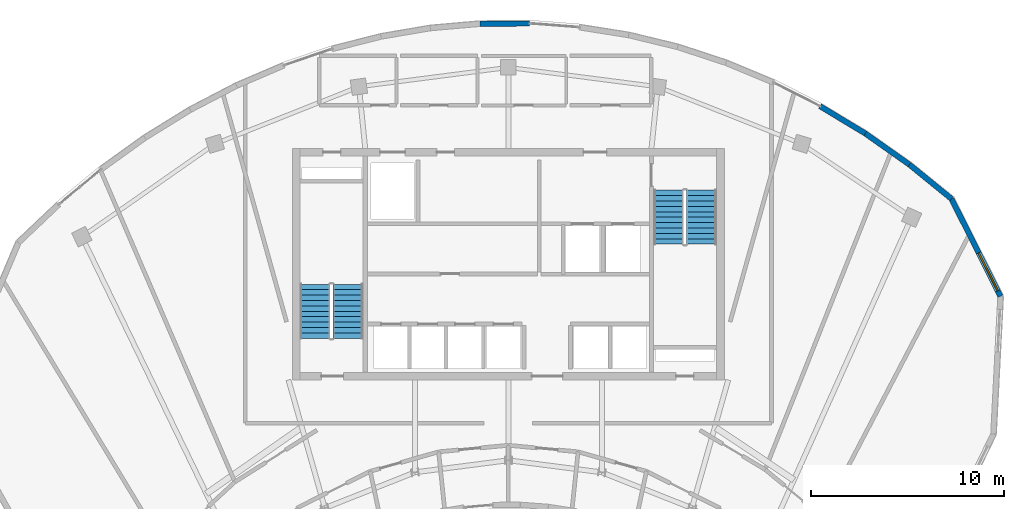
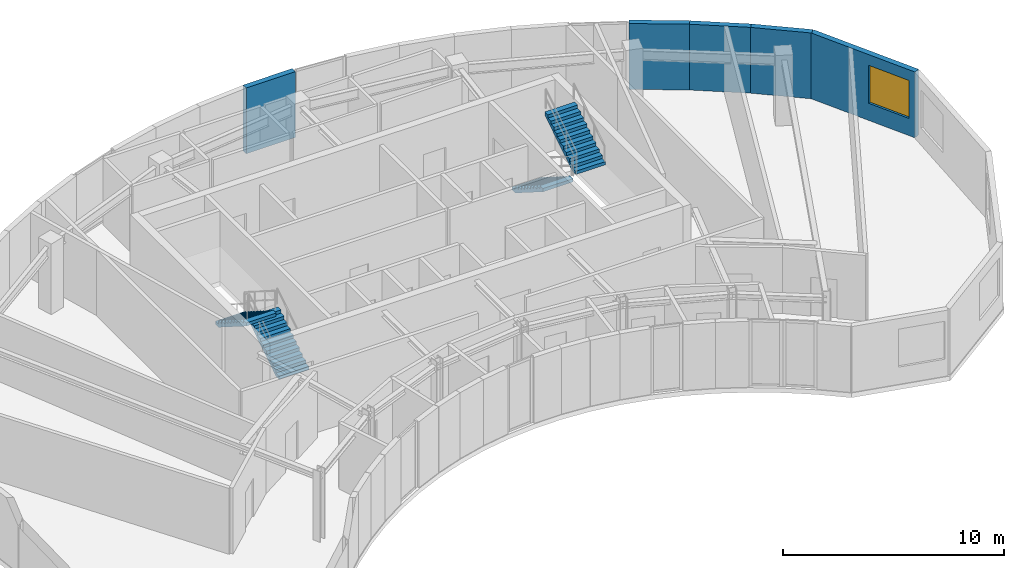
# One storey, part 8 of 9: 5 walls, 4 stair flights, 1 window, 1 opening, 2 elements without a shape of their own.
"""IFC4 building model written with IfcOpenShell, lengths in metres."""

from ifc_helpers import new_model, si_unit, direction, frame, frame_2d, origin, place, context, subcontext, project, spatial, polyline, rectangle, outline, extrude, source, transform, mapped, material, layer, layer_set, type_object, type_shapes, element, fill, aggregate, save


model = new_model("IFC4")

# Units and contexts
model_context = context("Model", 3, precision=1e-05, world=origin(), true_north=direction((0.0, 1.0)))
body_context = subcontext(model_context, "Body", "Model", "MODEL_VIEW")
ifc_project = project(units=[si_unit("LENGTHUNIT", "METRE"), si_unit("AREAUNIT", "SQUARE_METRE"), si_unit("VOLUMEUNIT", "CUBIC_METRE"), si_unit("PLANEANGLEUNIT", "RADIAN"), si_unit("MASSUNIT", "GRAM", prefix="KILO")], contexts=[model_context])

# Site, building, storey
site_placement = place(None, origin())
site = spatial("IfcSite", under=ifc_project, at=site_placement, CompositionType="ELEMENT")
building_placement = place(site_placement, origin())
building = spatial("IfcBuilding", under=site, at=building_placement, Name="Breltana Convention Tower", CompositionType="ELEMENT")
storey_placement = place(building_placement, frame((0.0, 0.0, 287.39990234375)))
storey = spatial("IfcBuildingStorey", under=building, at=storey_placement, Name="L70", CompositionType="ELEMENT", Elevation=287.39990234375)

# Wall, opening, window
ifc_material_1 = material(Name="Limestone Buff Insulated Wall", Category="masonry")
ifc_layer = layer(ifc_material_1, 0.280029296875, Name="Limestone Buff Insulated Wall")
ifc_layer_set = layer_set([ifc_layer], Name="Limestone Buff Insulated Wall")
wall_type = type_object("IfcWallType", Name="WL-EXT-NOSE-280", PredefinedType="SOLIDWALL", material=ifc_layer_set)
shared_shape_1 = source(origin(), body_context, "Body", "SweptSolid", [
    extrude(rectangle(XDim=5.6533203125, YDim=0.280029296875, at=frame_2d((2.82666015625, 0.0))), origin(), (0.0, 0.0, 1.0), 3.64013671875),
])
wall_1_placement = place(storey_placement, frame((70.976318359375, 69.5908203125, 0.0), z_axis=(0.0, 0.0, 1.0), x_axis=(0.449302555419, -0.893379658205, 0.0)))
wall_1 = element("IfcWall", 1, at=wall_1_placement, inside=storey, type_object=wall_type, Name="L70 curved limestone nose wall E1", PredefinedType="SOLIDWALL", context=body_context, shape_type="MappedRepresentation", body=[
    mapped(shared_shape_1, transform((0.0, 0.0, 0.0), scale=1.0)),
])
opening_placement = place(wall_1_placement, frame((3.139892578125, 0.0, 0.949951171875)))
opening = element("IfcOpeningElement", 2, at=opening_placement, cuts=wall_1, Name="Opening W-03", PredefinedType="OPENING", context=body_context, shape_type="SweptSolid", body=[
    extrude(rectangle(XDim=2.199951171875, YDim=2.10009765625, at=frame_2d((1.10009765625, 1.050048828125))), frame((0.0, 0.14990234375, 0.0), z_axis=(0.0, -1.0, 0.0), x_axis=(1.0, 0.0, 0.0)), (0.0, 0.0, 1.0), 0.300048828125),
])
ifc_material_2 = material(Name="Glass Low-E Insulated Window", Category="glass")
window_type = type_object("IfcWindowType", Name="WN-NOSE-2200X2100", PartitioningType="TRIPLE_PANEL_VERTICAL", PredefinedType="WINDOW", material=ifc_material_2)
shared_shape_2 = source(origin(), body_context, "Body", "SweptSolid", [
    extrude(rectangle(XDim=2.199951171875, YDim=2.10009765625, at=frame_2d((1.10009765625, 1.050048828125))), frame((0.0, 0.030029296875, 0.0), z_axis=(0.0, -1.0, 0.0), x_axis=(1.0, 0.0, 0.0)), (0.0, 0.0, 1.0), 0.06005859375),
])
type_shapes(window_type, [shared_shape_2])
window_placement = place(opening_placement, origin())
window = element("IfcWindow", 3, at=window_placement, inside=storey, type_object=window_type, Name="L70 nose window E1", OverallHeight=2.10009765625, OverallWidth=2.199951171875, PartitioningType="TRIPLE_PANEL_VERTICAL", PredefinedType="WINDOW", context=body_context, shape_type="MappedRepresentation", body=[
    mapped(shared_shape_2, transform((0.0, 0.0, 0.0), scale=1.0)),
])
fill(opening, window)

# Walls
shared_shape_3 = source(origin(), body_context, "Body", "SweptSolid", [
    extrude(rectangle(XDim=2.578125, YDim=0.280029296875, at=frame_2d((1.2890625, 0.0))), origin(), (0.0, 0.0, 1.0), 3.64013671875),
])
wall_2_placement = place(storey_placement, frame((46.52685546875, 78.668212890625, 0.0), z_axis=(0.0, 0.0, 1.0), x_axis=(0.999982204439, 0.005965802924, 0.0)))
element("IfcWall", 4, at=wall_2_placement, inside=storey, type_object=wall_type, Name="L70 curved limestone nose wall E27", PredefinedType="SOLIDWALL", context=body_context, shape_type="MappedRepresentation", body=[
    mapped(shared_shape_3, transform((0.0, 0.0, 0.0), scale=1.0)),
])
shared_shape_4 = source(origin(), body_context, "Body", "SweptSolid", [
    extrude(rectangle(XDim=2.748291015625, YDim=0.280029296875, at=frame_2d((1.3740234375, 0.0))), origin(), (0.0, 0.0, 1.0), 3.64013671875),
])
wall_3_placement = place(storey_placement, frame((64.157470703125, 74.3955078125, 0.0), z_axis=(0.0, 0.0, 1.0), x_axis=(0.856149718453, -0.516727838996, 0.0)))
element("IfcWall", 5, at=wall_3_placement, inside=storey, type_object=wall_type, Name="L70 curved limestone nose wall E32", PredefinedType="SOLIDWALL", context=body_context, shape_type="MappedRepresentation", body=[
    mapped(shared_shape_4, transform((0.0, 0.0, 0.0), scale=1.0)),
])
shared_shape_5 = source(origin(), body_context, "Body", "SweptSolid", [
    extrude(rectangle(XDim=2.811767578125, YDim=0.280029296875, at=frame_2d((1.40576171875, 0.0))), origin(), (0.0, 0.0, 1.0), 3.64013671875),
])
wall_4_placement = place(storey_placement, frame((68.794677734375, 71.36474609375, 0.0), z_axis=(0.0, 0.0, 1.0), x_axis=(0.775880230716, -0.630880232361, 0.0)))
element("IfcWall", 6, at=wall_4_placement, inside=storey, type_object=wall_type, Name="L70 curved limestone nose wall E34", PredefinedType="SOLIDWALL", context=body_context, shape_type="MappedRepresentation", body=[
    mapped(shared_shape_5, transform((0.0, 0.0, 0.0), scale=1.0)),
])
shared_shape_6 = source(origin(), body_context, "Body", "SweptSolid", [
    extrude(rectangle(XDim=2.794921875, YDim=0.280029296875, at=frame_2d((1.3974609375, 0.0))), origin(), (0.0, 0.0, 1.0), 3.64013671875),
])
wall_5_placement = place(storey_placement, frame((66.510498046875, 72.975341796875, 0.0), z_axis=(0.0, 0.0, 1.0), x_axis=(0.817265517835, -0.576261289136, 0.0)))
element("IfcWall", 7, at=wall_5_placement, inside=storey, type_object=wall_type, Name="L70 curved limestone nose wall E33", PredefinedType="SOLIDWALL", context=body_context, shape_type="MappedRepresentation", body=[
    mapped(shared_shape_6, transform((0.0, 0.0, 0.0), scale=1.0)),
])

# Stair, stair flights
ifc_material_3 = material(Name="Concrete C40/50", Category="concrete")
stair_type = type_object("IfcStairType", Name="ST-DOG-1560-R177", PredefinedType="HALF_TURN_STAIR", material=ifc_material_3)
stair_1_placement = place(storey_placement, origin())
stair_1 = element("IfcStair", 8, at=stair_1_placement, inside=storey, type_object=stair_type, Name="L70 Protected Core Exit Stair ST-1", PredefinedType="HALF_TURN_STAIR")
stair_flight_type = type_object("IfcStairFlightType", Name="STF-DOG-1560-N11-R177", PredefinedType="STRAIGHT", material=ifc_material_3)
stair_flight_1_placement = place(storey_placement, frame((39.68994140625, 62.360107421875, 0.0), z_axis=(0.0, 0.0, 1.0), x_axis=(0.0, 1.0, 0.0)))
stair_flight_1 = element("IfcStairFlight", 9, at=stair_flight_1_placement, type_object=stair_flight_type, Name="ST-1 flight 1", NumberOfRisers=11, NumberOfTreads=10, PredefinedType="STRAIGHT", RiserHeight=0.177272727, TreadLength=0.28, context=body_context, shape_type="SweptSolid", body=[
    extrude(outline(polyline([(0.0, 0.0), (0.0, 0.17724609375), (0.280029296875, 0.17724609375), (0.280029296875, 0.3544921875), (0.56005859375, 0.3544921875), (0.56005859375, 0.53173828125), (0.840087890625, 0.53173828125), (0.840087890625, 0.708984375), (1.1201171875, 0.708984375), (1.1201171875, 0.886474609375), (1.39990234375, 0.886474609375), (1.39990234375, 1.063720703125), (1.679931640625, 1.063720703125), (1.679931640625, 1.240966796875), (1.9599609375, 1.240966796875), (1.9599609375, 1.418212890625), (2.239990234375, 1.418212890625), (2.239990234375, 1.595458984375), (2.52001953125, 1.595458984375), (2.52001953125, 1.772705078125), (2.800048828125, 1.772705078125), (2.800048828125, 1.949951171875), (2.800048828125, 1.59521484375), (0.2802734375, 0.0), (0.0, 0.0)])), frame((0.0, 0.780029296875, 0.0), z_axis=(0.0, -1.0, 0.0), x_axis=(1.0, 0.0, 0.0)), (0.0, 0.0, 1.0), 1.56005859375),
])
stair_flight_2_placement = place(storey_placement, frame((37.97998046875, 65.159912109375, 1.9501953125), z_axis=(0.0, 0.0, 1.0), x_axis=(0.0, -1.0, 0.0)))
stair_flight_2 = element("IfcStairFlight", 10, at=stair_flight_2_placement, type_object=stair_flight_type, Name="ST-1 flight 2", NumberOfRisers=11, NumberOfTreads=10, PredefinedType="STRAIGHT", RiserHeight=0.177272727, TreadLength=0.28, context=body_context, shape_type="SweptSolid", body=[
    extrude(outline(polyline([(0.0, 0.0), (0.0, 0.17724609375), (0.280029296875, 0.17724609375), (0.280029296875, 0.3544921875), (0.56005859375, 0.3544921875), (0.56005859375, 0.53173828125), (0.840087890625, 0.53173828125), (0.840087890625, 0.708984375), (1.1201171875, 0.708984375), (1.1201171875, 0.886474609375), (1.39990234375, 0.886474609375), (1.39990234375, 1.063720703125), (1.679931640625, 1.063720703125), (1.679931640625, 1.240966796875), (1.9599609375, 1.240966796875), (1.9599609375, 1.418212890625), (2.239990234375, 1.418212890625), (2.239990234375, 1.595458984375), (2.52001953125, 1.595458984375), (2.52001953125, 1.772705078125), (2.800048828125, 1.772705078125), (2.800048828125, 1.949951171875), (2.800048828125, 1.59521484375), (0.2802734375, 0.0), (0.0, 0.0)])), frame((0.0, 0.780029296875, 0.0), z_axis=(0.0, -1.0, 0.0), x_axis=(1.0, 0.0, 0.0)), (0.0, 0.0, 1.0), 1.56005859375),
])
aggregate(stair_1, [stair_flight_1, stair_flight_2])

stair_2_placement = place(storey_placement, origin())
stair_2 = element("IfcStair", 11, at=stair_2_placement, inside=storey, type_object=stair_type, Name="L70 Protected Core Exit Stair ST-2", PredefinedType="HALF_TURN_STAIR")
stair_flight_3_placement = place(storey_placement, frame((56.31005859375, 70.0400390625, 0.0), z_axis=(0.0, 0.0, 1.0), x_axis=(0.0, -1.0, 0.0)))
stair_flight_3 = element("IfcStairFlight", 12, at=stair_flight_3_placement, type_object=stair_flight_type, Name="ST-2 flight 1", NumberOfRisers=11, NumberOfTreads=10, PredefinedType="STRAIGHT", RiserHeight=0.177272727, TreadLength=0.28, context=body_context, shape_type="SweptSolid", body=[
    extrude(outline(polyline([(0.0, 0.0), (0.0, 0.17724609375), (0.280029296875, 0.17724609375), (0.280029296875, 0.3544921875), (0.56005859375, 0.3544921875), (0.56005859375, 0.53173828125), (0.840087890625, 0.53173828125), (0.840087890625, 0.708984375), (1.1201171875, 0.708984375), (1.1201171875, 0.886474609375), (1.39990234375, 0.886474609375), (1.39990234375, 1.063720703125), (1.679931640625, 1.063720703125), (1.679931640625, 1.240966796875), (1.9599609375, 1.240966796875), (1.9599609375, 1.418212890625), (2.239990234375, 1.418212890625), (2.239990234375, 1.595458984375), (2.52001953125, 1.595458984375), (2.52001953125, 1.772705078125), (2.800048828125, 1.772705078125), (2.800048828125, 1.949951171875), (2.800048828125, 1.59521484375), (0.2802734375, 0.0), (0.0, 0.0)])), frame((0.0, 0.780029296875, 0.0), z_axis=(0.0, -1.0, 0.0), x_axis=(1.0, 0.0, 0.0)), (0.0, 0.0, 1.0), 1.56005859375),
])
stair_flight_4_placement = place(storey_placement, frame((58.02001953125, 67.239990234375, 1.9501953125), z_axis=(0.0, 0.0, 1.0), x_axis=(0.0, 1.0, 0.0)))
stair_flight_4 = element("IfcStairFlight", 13, at=stair_flight_4_placement, type_object=stair_flight_type, Name="ST-2 flight 2", NumberOfRisers=11, NumberOfTreads=10, PredefinedType="STRAIGHT", RiserHeight=0.177272727, TreadLength=0.28, context=body_context, shape_type="SweptSolid", body=[
    extrude(outline(polyline([(0.0, 0.0), (0.0, 0.17724609375), (0.280029296875, 0.17724609375), (0.280029296875, 0.3544921875), (0.56005859375, 0.3544921875), (0.56005859375, 0.53173828125), (0.840087890625, 0.53173828125), (0.840087890625, 0.708984375), (1.1201171875, 0.708984375), (1.1201171875, 0.886474609375), (1.39990234375, 0.886474609375), (1.39990234375, 1.063720703125), (1.679931640625, 1.063720703125), (1.679931640625, 1.240966796875), (1.9599609375, 1.240966796875), (1.9599609375, 1.418212890625), (2.239990234375, 1.418212890625), (2.239990234375, 1.595458984375), (2.52001953125, 1.595458984375), (2.52001953125, 1.772705078125), (2.800048828125, 1.772705078125), (2.800048828125, 1.949951171875), (2.800048828125, 1.59521484375), (0.2802734375, 0.0), (0.0, 0.0)])), frame((0.0, 0.780029296875, 0.0), z_axis=(0.0, -1.0, 0.0), x_axis=(1.0, 0.0, 0.0)), (0.0, 0.0, 1.0), 1.56005859375),
])
aggregate(stair_2, [stair_flight_3, stair_flight_4])

save(model, "model.ifc")
